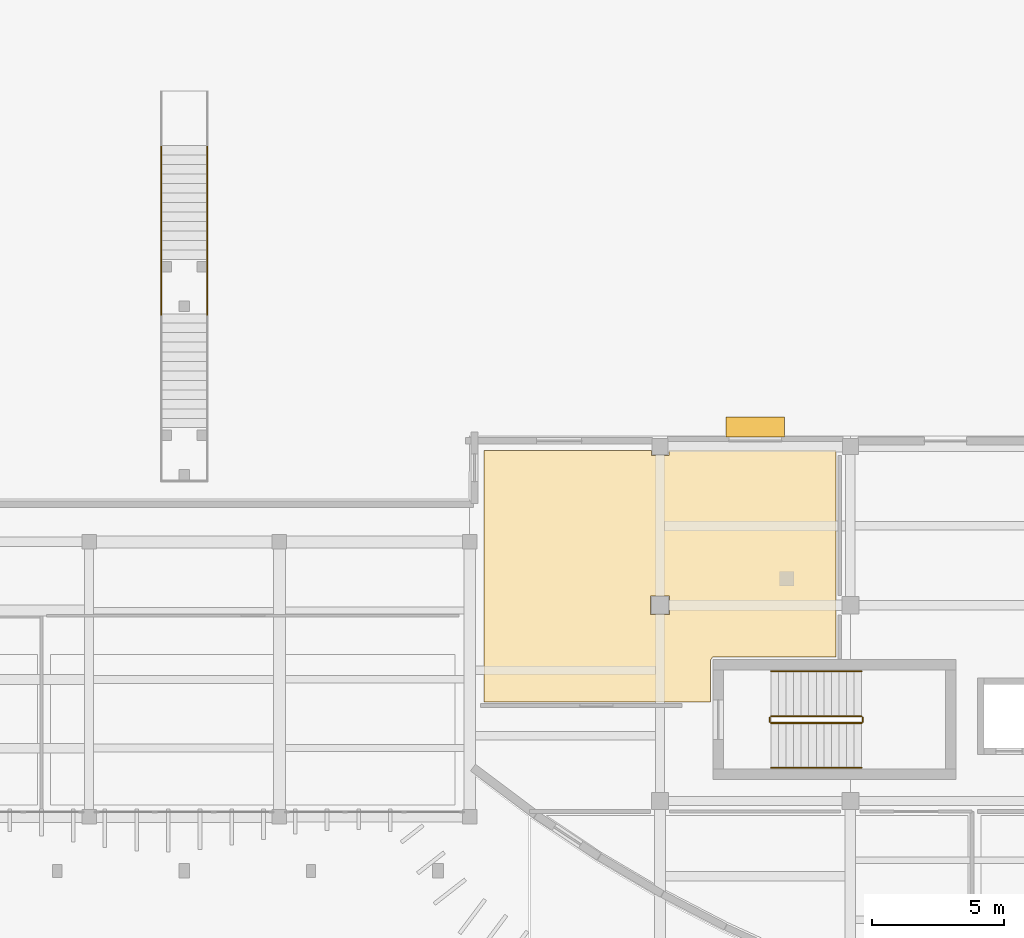
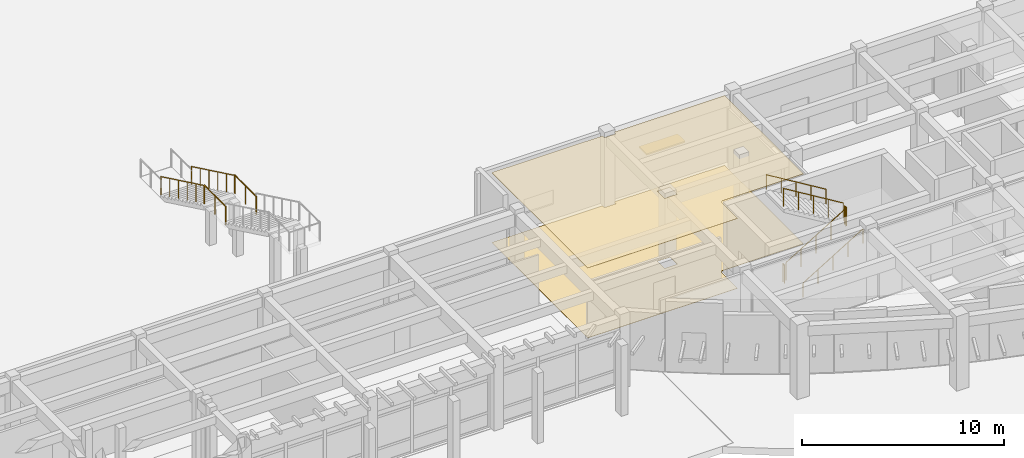
# One storey, part 50 of 58: 10 railings, 2 coverings, 1 shading device.
"""IFC4 building model written with IfcOpenShell, lengths in metres."""

from ifc_helpers import new_model, si_unit, direction, frame, origin, origin_2d, place, context, subcontext, project, spatial, polyline, rectangle, circle, outline, extrude, material, layer, layer_set, type_object, element, save


model = new_model("IFC4")

# Units and contexts
model_context = context("Model", 3, precision=1e-05, world=origin(), true_north=direction((0.0, 1.0)))
body_context = subcontext(model_context, "Body", "Model", "MODEL_VIEW")
ifc_project = project(units=[si_unit("LENGTHUNIT", "METRE"), si_unit("AREAUNIT", "SQUARE_METRE"), si_unit("VOLUMEUNIT", "CUBIC_METRE"), si_unit("PLANEANGLEUNIT", "RADIAN"), si_unit("MASSUNIT", "GRAM", prefix="KILO")], contexts=[model_context])

# Site, building, storey
site_placement = place(None, origin())
site = spatial("IfcSite", under=ifc_project, at=site_placement, CompositionType="ELEMENT")
building_placement = place(site_placement, origin())
building = spatial("IfcBuilding", under=site, at=building_placement, Name="Brisavento Harbour Community Centre", CompositionType="ELEMENT")
storey_placement = place(building_placement, origin())
storey = spatial("IfcBuildingStorey", under=building, at=storey_placement, Name="L00", CompositionType="ELEMENT", Elevation=0.0)

# Coverings
ifc_material_1 = material(Name="Perforated acoustic gypsum ceiling board", Category="other")
ifc_layer_1 = layer(ifc_material_1, 0.02490234375, Name="Perforated acoustic gypsum ceiling board")
ifc_layer_set_1 = layer_set([ifc_layer_1], Name="Perforated acoustic gypsum ceiling board")
covering_type_1 = type_object("IfcCoveringType", Name="COV-CEIL-AC", PredefinedType="CEILING", material=ifc_layer_set_1)
covering_1_placement = place(storey_placement, frame((0.0, 0.0, 4.215087890625)))
element("IfcCovering", 1, at=covering_1_placement, inside=storey, type_object=covering_type_1, Name="L00 Family Early-Years Advisory Room acoustic ceiling", PredefinedType="CEILING", context=body_context, shape_type="SweptSolid", body=[
    extrude(outline(polyline([(114.8701171875, 28.25), (108.550048828125, 28.25), (108.550048828125, 18.75), (117.10009765625, 18.75), (117.1005859375, 20.314697265625), (117.192626953125, 20.438720703125), (121.85009765625, 20.449951171875), (121.85009765625, 28.25), (115.530029296875, 28.25), (115.530029296875, 28.070068359375), (114.8701171875, 28.070068359375), (114.8701171875, 28.25)]), holes=[polyline([(114.844970703125, 22.7548828125), (115.554931640625, 22.7548828125), (115.554931640625, 22.044921875), (114.844970703125, 22.044921875), (114.844970703125, 22.7548828125)])]), origin(), (0.0, 0.0, 1.0), 0.02490234375),
])
ifc_material_2 = material(Name="Polished marine terrazzo tile", Category="other")
ifc_layer_2 = layer(ifc_material_2, 0.02001953125, Name="Polished marine terrazzo tile")
ifc_layer_set_2 = layer_set([ifc_layer_2], Name="Polished marine terrazzo tile")
covering_type_2 = type_object("IfcCoveringType", Name="COV-FLR-TRZ", PredefinedType="FLOORING", material=ifc_layer_set_2)
covering_2_placement = place(storey_placement, origin())
element("IfcCovering", 2, at=covering_2_placement, inside=storey, type_object=covering_type_2, Name="L00 Family Early-Years Advisory Room terrazzo flooring", PredefinedType="FLOORING", context=body_context, shape_type="SweptSolid", body=[
    extrude(outline(polyline([(114.8701171875, 28.25), (108.550048828125, 28.25), (108.550048828125, 18.75), (117.10009765625, 18.75), (117.1005859375, 20.314697265625), (117.192626953125, 20.438720703125), (121.85009765625, 20.449951171875), (121.85009765625, 28.25), (115.530029296875, 28.25), (115.530029296875, 28.070068359375), (114.8701171875, 28.070068359375), (114.8701171875, 28.25)]), holes=[polyline([(114.844970703125, 22.7548828125), (115.554931640625, 22.7548828125), (115.554931640625, 22.044921875), (114.844970703125, 22.044921875), (114.844970703125, 22.7548828125)])]), origin(), (0.0, 0.0, 1.0), 0.02001953125),
])

# Railings
ifc_material_3 = material(Name="Stainless steel 1.4401", Category="steel")
railing_type_1 = type_object("IfcRailingType", Name="RL-ST-GUARD", PredefinedType="GUARDRAIL", material=ifc_material_3)
railing_1_placement = place(storey_placement, frame((119.39990234375, 17.949951171875, 0.173095703125)))
element("IfcRailing", 3, at=railing_1_placement, inside=storey, type_object=railing_type_1, Name="L00 ST-04 stair guard 1", PredefinedType="GUARDRAIL", context=body_context, shape_type="SweptSolid", body=[
    extrude(circle(Radius=0.02392578125, at=origin_2d()), frame((0.0, 0.0, 1.076171875), z_axis=(0.854745945586, 0.0, 0.519046595696), x_axis=(0.0, 1.0, 0.0)), (0.0, 0.0, 1.0), 4.00146484375),
    extrude(circle(Radius=0.02099609375, at=origin_2d()), origin(), (0.0, 0.0, 1.0), 1.052001953125),
    extrude(circle(Radius=0.02099609375, at=origin_2d()), frame((0.85498046875, 0.0, 0.519287109375)), (0.0, 0.0, 1.0), 1.052001953125),
    extrude(circle(Radius=0.02099609375, at=origin_2d()), frame((1.7099609375, 0.0, 1.03857421875)), (0.0, 0.0, 1.0), 1.052001953125),
    extrude(circle(Radius=0.02099609375, at=origin_2d()), frame((2.565185546875, 0.0, 1.5576171875)), (0.0, 0.0, 1.0), 1.052001953125),
    extrude(circle(Radius=0.02099609375, at=origin_2d()), frame((3.420166015625, 0.0, 2.076904296875)), (0.0, 0.0, 1.0), 1.052001953125),
])
railing_2_placement = place(storey_placement, frame((122.8701171875, 18.0, 2.25)))
element("IfcRailing", 4, at=railing_2_placement, inside=storey, type_object=railing_type_1, Name="L00 ST-04 stair guard 2", PredefinedType="GUARDRAIL", context=body_context, shape_type="SweptSolid", body=[
    extrude(circle(Radius=0.02392578125, at=origin_2d()), frame((0.0, 0.0, 1.076171875), z_axis=(0.0, 1.0, 0.0), x_axis=(-1.0, 0.0, 0.0)), (0.0, 0.0, 1.0), 0.14990234375),
    extrude(circle(Radius=0.02099609375, at=origin_2d()), origin(), (0.0, 0.0, 1.0), 1.052001953125),
    extrude(circle(Radius=0.02099609375, at=origin_2d()), frame((0.0, 0.14990234375, 0.0)), (0.0, 0.0, 1.0), 1.052001953125),
])
railing_3_placement = place(storey_placement, frame((122.820068359375, 18.199951171875, 2.423095703125)))
element("IfcRailing", 5, at=railing_3_placement, inside=storey, type_object=railing_type_1, Name="L00 ST-04 stair guard 3", PredefinedType="GUARDRAIL", context=body_context, shape_type="SweptSolid", body=[
    extrude(circle(Radius=0.02392578125, at=origin_2d()), frame((0.0, 0.0, 1.076171875), z_axis=(-0.854745945586, 0.0, 0.519046595696), x_axis=(0.0, -1.0, 0.0)), (0.0, 0.0, 1.0), 4.00146484375),
    extrude(circle(Radius=0.02099609375, at=origin_2d()), origin(), (0.0, 0.0, 1.0), 1.052001953125),
    extrude(circle(Radius=0.02099609375, at=origin_2d()), frame((-0.85498046875, 0.0, 0.519287109375)), (0.0, 0.0, 1.0), 1.052001953125),
    extrude(circle(Radius=0.02099609375, at=origin_2d()), frame((-1.7099609375, 0.0, 1.03857421875)), (0.0, 0.0, 1.0), 1.052001953125),
    extrude(circle(Radius=0.02099609375, at=origin_2d()), frame((-2.565185546875, 0.0, 1.5576171875)), (0.0, 0.0, 1.0), 1.052001953125),
    extrude(circle(Radius=0.02099609375, at=origin_2d()), frame((-3.420166015625, 0.0, 2.076904296875)), (0.0, 0.0, 1.0), 1.052001953125),
])
railing_4_placement = place(storey_placement, frame((119.35009765625, 18.0, 0.0)))
element("IfcRailing", 6, at=railing_4_placement, inside=storey, type_object=railing_type_1, Name="L00 ST-04 stair guard 4", PredefinedType="GUARDRAIL", context=body_context, shape_type="SweptSolid", body=[
    extrude(circle(Radius=0.02392578125, at=origin_2d()), frame((0.0, 0.0, 1.076171875), z_axis=(0.0, 1.0, 0.0), x_axis=(-1.0, 0.0, 0.0)), (0.0, 0.0, 1.0), 0.14990234375),
    extrude(circle(Radius=0.02099609375, at=origin_2d()), origin(), (0.0, 0.0, 1.0), 1.052001953125),
    extrude(circle(Radius=0.02099609375, at=origin_2d()), frame((0.0, 0.14990234375, 0.0)), (0.0, 0.0, 1.0), 1.052001953125),
])
railing_5_placement = place(storey_placement, frame((96.330078125, 39.800048828125, 0.173095703125)))
element("IfcRailing", 7, at=railing_5_placement, inside=storey, type_object=railing_type_1, Name="L00 MST-02 L F1 stair guard", PredefinedType="GUARDRAIL", context=body_context, shape_type="SweptSolid", body=[
    extrude(circle(Radius=0.02392578125, at=origin_2d()), frame((0.0, 0.0, 1.09619140625), z_axis=(0.0, -0.901256631912, 0.433285683395), x_axis=(1.0, 0.0, 0.0)), (0.0, 0.0, 1.0), 4.79345703125),
    extrude(circle(Radius=0.02099609375, at=origin_2d()), origin(), (0.0, 0.0, 1.0), 1.072021484375),
    extrude(circle(Radius=0.02099609375, at=origin_2d()), frame((0.0, -0.864013671875, 0.415283203125)), (0.0, 0.0, 1.0), 1.072021484375),
    extrude(circle(Radius=0.02099609375, at=origin_2d()), frame((0.0, -1.72802734375, 0.830810546875)), (0.0, 0.0, 1.0), 1.072021484375),
    extrude(circle(Radius=0.02099609375, at=origin_2d()), frame((0.0, -2.592041015625, 1.24609375)), (0.0, 0.0, 1.0), 1.072021484375),
    extrude(circle(Radius=0.02099609375, at=origin_2d()), frame((0.0, -3.4560546875, 1.66162109375)), (0.0, 0.0, 1.0), 1.072021484375),
    extrude(circle(Radius=0.02099609375, at=origin_2d()), frame((0.0, -4.320068359375, 2.076904296875)), (0.0, 0.0, 1.0), 1.072021484375),
])
railing_6_placement = place(storey_placement, frame((96.330078125, 35.52001953125, 2.25)))
element("IfcRailing", 8, at=railing_6_placement, inside=storey, type_object=railing_type_1, Name="L00 MST-02 L L2 stair guard", PredefinedType="GUARDRAIL", context=body_context, shape_type="SweptSolid", body=[
    extrude(circle(Radius=0.02392578125, at=origin_2d()), frame((0.0, 0.0, 1.09619140625), z_axis=(0.0, -1.0, 0.0), x_axis=(1.0, 0.0, 0.0)), (0.0, 0.0, 1.0), 2.130126953125),
    extrude(circle(Radius=0.02099609375, at=origin_2d()), origin(), (0.0, 0.0, 1.0), 1.072021484375),
    extrude(circle(Radius=0.02099609375, at=origin_2d()), frame((0.0, -1.06494140625, 0.0)), (0.0, 0.0, 1.0), 1.072021484375),
    extrude(circle(Radius=0.02099609375, at=origin_2d()), frame((0.0, -2.130126953125, 0.0)), (0.0, 0.0, 1.0), 1.072021484375),
])
railing_7_placement = place(storey_placement, frame((98.070068359375, 39.800048828125, 0.173095703125)))
element("IfcRailing", 9, at=railing_7_placement, inside=storey, type_object=railing_type_1, Name="L00 MST-02 R F1 stair guard", PredefinedType="GUARDRAIL", context=body_context, shape_type="SweptSolid", body=[
    extrude(circle(Radius=0.02392578125, at=origin_2d()), frame((0.0, 0.0, 1.09619140625), z_axis=(0.0, -0.901256631912, 0.433285683395), x_axis=(1.0, 0.0, 0.0)), (0.0, 0.0, 1.0), 4.79345703125),
    extrude(circle(Radius=0.02099609375, at=origin_2d()), origin(), (0.0, 0.0, 1.0), 1.072021484375),
    extrude(circle(Radius=0.02099609375, at=origin_2d()), frame((0.0, -0.864013671875, 0.415283203125)), (0.0, 0.0, 1.0), 1.072021484375),
    extrude(circle(Radius=0.02099609375, at=origin_2d()), frame((0.0, -1.72802734375, 0.830810546875)), (0.0, 0.0, 1.0), 1.072021484375),
    extrude(circle(Radius=0.02099609375, at=origin_2d()), frame((0.0, -2.592041015625, 1.24609375)), (0.0, 0.0, 1.0), 1.072021484375),
    extrude(circle(Radius=0.02099609375, at=origin_2d()), frame((0.0, -3.4560546875, 1.66162109375)), (0.0, 0.0, 1.0), 1.072021484375),
    extrude(circle(Radius=0.02099609375, at=origin_2d()), frame((0.0, -4.320068359375, 2.076904296875)), (0.0, 0.0, 1.0), 1.072021484375),
])
railing_8_placement = place(storey_placement, frame((98.070068359375, 35.52001953125, 2.25)))
element("IfcRailing", 10, at=railing_8_placement, inside=storey, type_object=railing_type_1, Name="L00 MST-02 R L2 stair guard", PredefinedType="GUARDRAIL", context=body_context, shape_type="SweptSolid", body=[
    extrude(circle(Radius=0.02392578125, at=origin_2d()), frame((0.0, 0.0, 1.09619140625), z_axis=(0.0, -1.0, 0.0), x_axis=(1.0, 0.0, 0.0)), (0.0, 0.0, 1.0), 2.130126953125),
    extrude(circle(Radius=0.02099609375, at=origin_2d()), origin(), (0.0, 0.0, 1.0), 1.072021484375),
    extrude(circle(Radius=0.02099609375, at=origin_2d()), frame((0.0, -1.06494140625, 0.0)), (0.0, 0.0, 1.0), 1.072021484375),
    extrude(circle(Radius=0.02099609375, at=origin_2d()), frame((0.0, -2.130126953125, 0.0)), (0.0, 0.0, 1.0), 1.072021484375),
])
railing_type_2 = type_object("IfcRailingType", Name="RL-ST-HAND", PredefinedType="HANDRAIL", material=ifc_material_3)
railing_9_placement = place(storey_placement, frame((119.39990234375, 16.25, 0.173095703125)))
element("IfcRailing", 11, at=railing_9_placement, inside=storey, type_object=railing_type_2, Name="L00 ST-04 stair handrail 1", PredefinedType="HANDRAIL", context=body_context, shape_type="SweptSolid", body=[
    extrude(circle(Radius=0.02392578125, at=origin_2d()), frame((0.0, 0.0, 0.8759765625), z_axis=(0.854745945586, 0.0, 0.519046595696), x_axis=(0.0, 1.0, 0.0)), (0.0, 0.0, 1.0), 4.00146484375),
    extrude(circle(Radius=0.02099609375, at=origin_2d()), origin(), (0.0, 0.0, 1.0), 0.851806640625),
    extrude(circle(Radius=0.02099609375, at=origin_2d()), frame((0.85498046875, 0.0, 0.519287109375)), (0.0, 0.0, 1.0), 0.851806640625),
    extrude(circle(Radius=0.02099609375, at=origin_2d()), frame((1.7099609375, 0.0, 1.03857421875)), (0.0, 0.0, 1.0), 0.851806640625),
    extrude(circle(Radius=0.02099609375, at=origin_2d()), frame((2.565185546875, 0.0, 1.5576171875)), (0.0, 0.0, 1.0), 0.851806640625),
    extrude(circle(Radius=0.02099609375, at=origin_2d()), frame((3.420166015625, 0.0, 2.076904296875)), (0.0, 0.0, 1.0), 0.851806640625),
])
railing_10_placement = place(storey_placement, frame((122.820068359375, 19.89990234375, 2.423095703125)))
element("IfcRailing", 12, at=railing_10_placement, inside=storey, type_object=railing_type_2, Name="L00 ST-04 stair handrail 2", PredefinedType="HANDRAIL", context=body_context, shape_type="SweptSolid", body=[
    extrude(circle(Radius=0.02392578125, at=origin_2d()), frame((0.0, 0.0, 0.8759765625), z_axis=(-0.854745945586, 0.0, 0.519046595696), x_axis=(0.0, -1.0, 0.0)), (0.0, 0.0, 1.0), 4.00146484375),
    extrude(circle(Radius=0.02099609375, at=origin_2d()), origin(), (0.0, 0.0, 1.0), 0.851806640625),
    extrude(circle(Radius=0.02099609375, at=origin_2d()), frame((-0.85498046875, 0.0, 0.519287109375)), (0.0, 0.0, 1.0), 0.851806640625),
    extrude(circle(Radius=0.02099609375, at=origin_2d()), frame((-1.7099609375, 0.0, 1.03857421875)), (0.0, 0.0, 1.0), 0.851806640625),
    extrude(circle(Radius=0.02099609375, at=origin_2d()), frame((-2.565185546875, 0.0, 1.5576171875)), (0.0, 0.0, 1.0), 0.851806640625),
    extrude(circle(Radius=0.02099609375, at=origin_2d()), frame((-3.420166015625, 0.0, 2.076904296875)), (0.0, 0.0, 1.0), 0.851806640625),
])

# Shading device
ifc_material_4 = material(Name="Off-white precast concrete C40/50", Category="concrete")
ifc_layer_3 = layer(ifc_material_4, 0.080078125, Name="Off-white precast concrete C40/50")
ifc_layer_set_3 = layer_set([ifc_layer_3], Name="Off-white precast concrete C40/50")
shading_device_type = type_object("IfcShadingDeviceType", Name="SHD-BLADE", PredefinedType="USERDEFINED", material=ifc_layer_set_3)
shading_device_placement = place(storey_placement, frame((118.800048828125, 29.14990234375, 1.760009765625), z_axis=(0.0, 0.0, 1.0), x_axis=(1.0, 0.0, 0.0)))
element("IfcShadingDevice", 13, at=shading_device_placement, inside=storey, type_object=shading_device_type, Name="L00 precast storm sunshade blade 05", ObjectType="SUNSHADE BLADE", PredefinedType="USERDEFINED", context=body_context, shape_type="SweptSolid", body=[
    extrude(rectangle(XDim=2.199951171875, YDim=0.75, at=origin_2d()), origin(), (0.0, 0.0, 1.0), 0.080078125),
])

save(model, "model.ifc")
